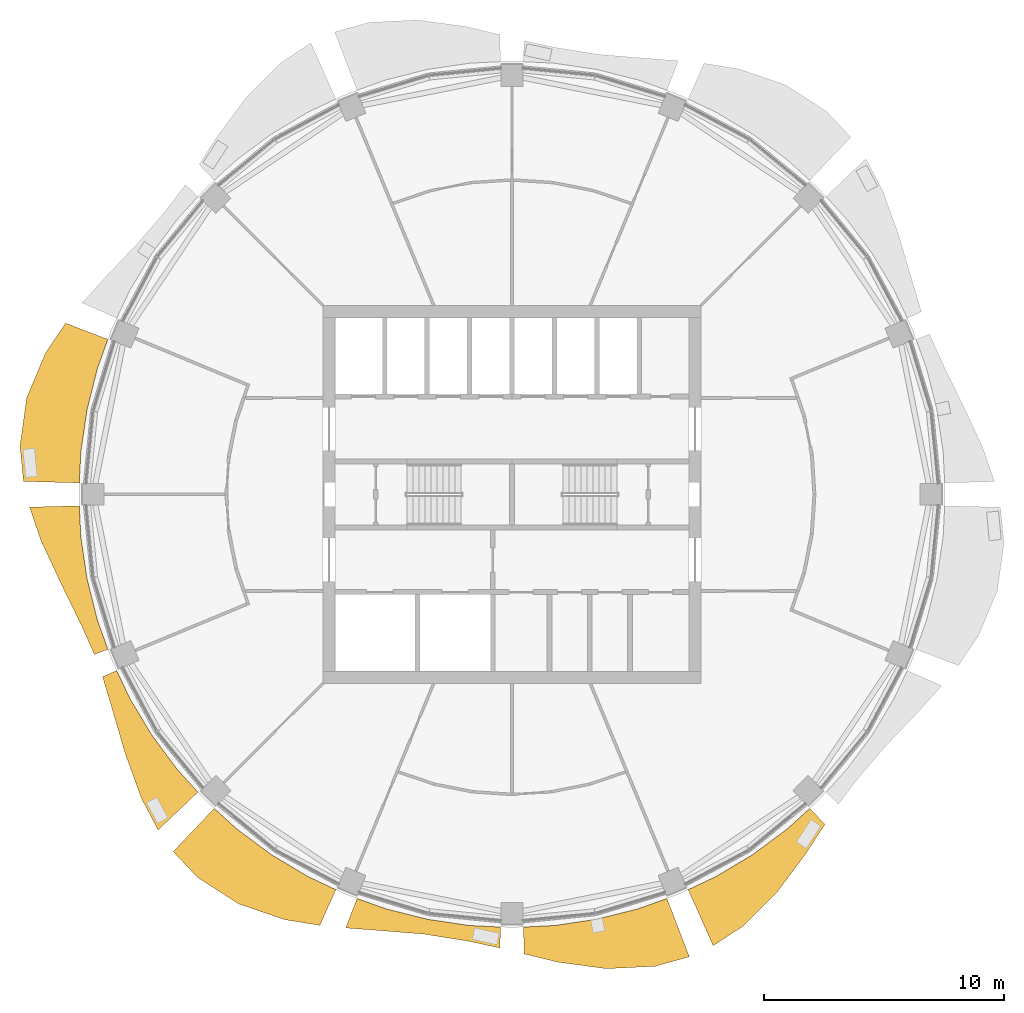
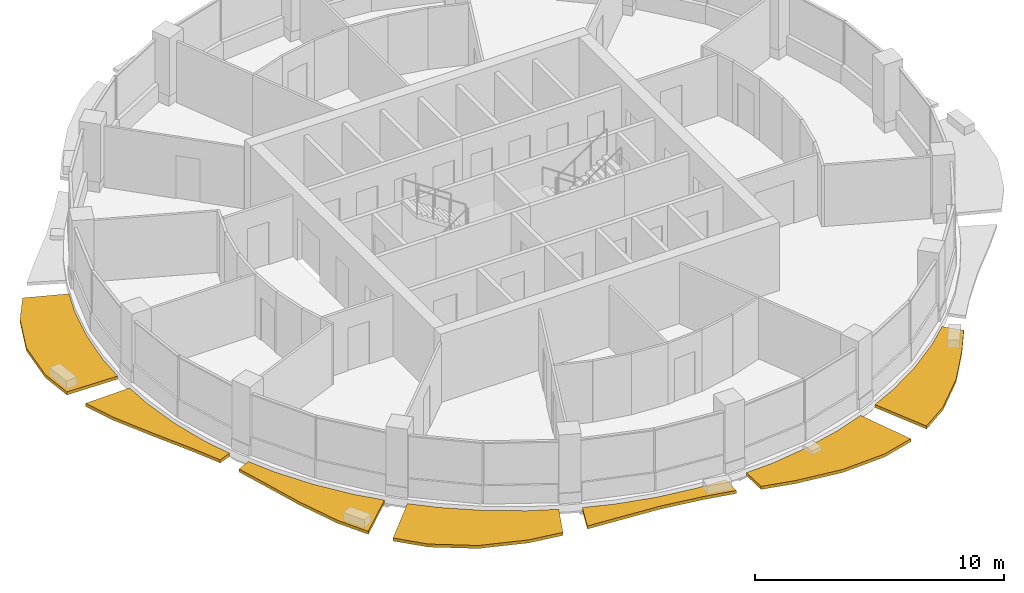
# One storey, part 12 of 15: 7 shading devices.
"""IFC4 building model written with IfcOpenShell, lengths in metres."""

from ifc_helpers import new_model, si_unit, direction, frame, origin, place, context, subcontext, project, spatial, polyline, outline, extrude, material, type_object, element, save


model = new_model("IFC4")

# Units and contexts
model_context = context("Model", 3, precision=1e-05, world=origin(), true_north=direction((0.0, 1.0)))
body_context = subcontext(model_context, "Body", "Model", "MODEL_VIEW")
ifc_project = project(units=[si_unit("LENGTHUNIT", "METRE"), si_unit("AREAUNIT", "SQUARE_METRE"), si_unit("VOLUMEUNIT", "CUBIC_METRE"), si_unit("PLANEANGLEUNIT", "RADIAN"), si_unit("MASSUNIT", "GRAM", prefix="KILO")], contexts=[model_context])

# Site, building, storey
site_placement = place(None, origin())
site = spatial("IfcSite", under=ifc_project, at=site_placement, CompositionType="ELEMENT")
building_placement = place(site_placement, origin())
building = spatial("IfcBuilding", under=site, at=building_placement, Name="Polderwave Tower", CompositionType="ELEMENT")
storey_placement = place(building_placement, frame((0.0, 0.0, 187.64990234375)))
storey = spatial("IfcBuildingStorey", under=building, at=storey_placement, Name="L50", CompositionType="ELEMENT", Elevation=187.64990234375)

# Shading devices
ifc_material = material(Name="Terracotta", Category="masonry")
shading_device_type = type_object("IfcShadingDeviceType", Name="Terracotta sunshade band", PredefinedType="USERDEFINED", material=ifc_material)
shading_device_1_placement = place(storey_placement, frame((0.0, 0.0, -0.349853515625)))
element("IfcShadingDevice", 1, at=shading_device_1_placement, inside=storey, type_object=shading_device_type, Name="Sunshade band L50 8", ObjectType="SUNSHADE", PredefinedType="USERDEFINED", context=body_context, shape_type="SweptSolid", body=[
    extrude(outline(polyline([(-16.8369140625, 6.45751953125), (-17.272705078125, 5.239501953125), (-17.703125, 3.521484375), (-17.963134765625, 1.769287109375), (-18.026611328125, 0.477294921875), (-20.352294921875, 0.538818359375), (-20.497802734375, 2.018798828125), (-20.2197265625, 4.02197265625), (-19.434814453125, 5.8955078125), (-18.597412109375, 7.1328125), (-16.8369140625, 6.45751953125)])), origin(), (0.0, 0.0, 1.0), 0.14990234375),
])
shading_device_2_placement = place(storey_placement, frame((0.0, 0.0, -0.349853515625)))
element("IfcShadingDevice", 2, at=shading_device_2_placement, inside=storey, type_object=shading_device_type, Name="Sunshade band L50 9", ObjectType="SUNSHADE", PredefinedType="USERDEFINED", context=body_context, shape_type="SweptSolid", body=[
    extrude(outline(polyline([(-18.026611328125, -0.477294921875), (-17.963134765625, -1.769287109375), (-17.703125, -3.521484375), (-17.272705078125, -5.239501953125), (-16.8369140625, -6.45751953125), (-17.3974609375, -6.672607421875), (-17.945556640625, -5.44384765625), (-18.781982421875, -3.736083984375), (-19.62060546875, -1.9326171875), (-20.1015625, -0.531982421875), (-18.026611328125, -0.477294921875)])), origin(), (0.0, 0.0, 1.0), 0.14990234375),
])
shading_device_3_placement = place(storey_placement, frame((0.0, 0.0, -0.349853515625)))
element("IfcShadingDevice", 3, at=shading_device_3_placement, inside=storey, type_object=shading_device_type, Name="Sunshade band L50 10", ObjectType="SUNSHADE", PredefinedType="USERDEFINED", context=body_context, shape_type="SweptSolid", body=[
    extrude(outline(polyline([(-16.4716796875, -7.33935546875), (-15.918701171875, -8.5087890625), (-15.008056640625, -10.028076171875), (-13.952880859375, -11.45068359375), (-13.083984375, -12.4091796875), (-14.743408203125, -13.983154296875), (-15.43798828125, -12.669677734375), (-16.123046875, -10.773193359375), (-16.666748046875, -8.908447265625), (-17.057861328125, -7.6005859375), (-16.4716796875, -7.33935546875)])), origin(), (0.0, 0.0, 1.0), 0.14990234375),
])
shading_device_4_placement = place(storey_placement, frame((0.0, 0.0, -0.349853515625)))
element("IfcShadingDevice", 4, at=shading_device_4_placement, inside=storey, type_object=shading_device_type, Name="Sunshade band L50 11", ObjectType="SUNSHADE", PredefinedType="USERDEFINED", context=body_context, shape_type="SweptSolid", body=[
    extrude(outline(polyline([(-12.4091796875, -13.083984375), (-11.45068359375, -13.952880859375), (-10.028076171875, -15.008056640625), (-8.5087890625, -15.918701171875), (-7.33935546875, -16.4716796875), (-8.001953125, -17.958740234375), (-9.471435546875, -17.719970703125), (-11.398193359375, -17.05859375), (-13.098876953125, -15.9609375), (-14.115478515625, -14.88330078125), (-12.4091796875, -13.083984375)])), origin(), (0.0, 0.0, 1.0), 0.14990234375),
])
shading_device_5_placement = place(storey_placement, frame((0.0, 0.0, -0.349853515625)))
element("IfcShadingDevice", 5, at=shading_device_5_placement, inside=storey, type_object=shading_device_type, Name="Sunshade band L50 12", ObjectType="SUNSHADE", PredefinedType="USERDEFINED", context=body_context, shape_type="SweptSolid", body=[
    extrude(outline(polyline([(-6.45751953125, -16.8369140625), (-5.239501953125, -17.272705078125), (-3.521484375, -17.703125), (-1.769287109375, -17.963134765625), (-0.477294921875, -18.026611328125), (-0.500244140625, -18.899658203125), (-1.833251953125, -18.613037109375), (-3.64501953125, -18.3251953125), (-5.5126953125, -18.173095703125), (-6.92822265625, -18.064208984375), (-6.45751953125, -16.8369140625)])), origin(), (0.0, 0.0, 1.0), 0.14990234375),
])
shading_device_6_placement = place(storey_placement, frame((0.0, 0.0, -0.349853515625)))
element("IfcShadingDevice", 6, at=shading_device_6_placement, inside=storey, type_object=shading_device_type, Name="Sunshade band L50 13", ObjectType="SUNSHADE", PredefinedType="USERDEFINED", context=body_context, shape_type="SweptSolid", body=[
    extrude(outline(polyline([(0.477294921875, -18.026611328125), (1.769287109375, -17.963134765625), (3.521484375, -17.703125), (5.239501953125, -17.272705078125), (6.45751953125, -16.8369140625), (7.388427734375, -19.26416015625), (5.96435546875, -19.662109375), (3.93115234375, -19.7626953125), (1.919677734375, -19.490234375), (0.5068359375, -19.150390625), (0.477294921875, -18.026611328125)])), origin(), (0.0, 0.0, 1.0), 0.14990234375),
])
shading_device_7_placement = place(storey_placement, frame((0.0, 0.0, -0.349853515625)))
element("IfcShadingDevice", 7, at=shading_device_7_placement, inside=storey, type_object=shading_device_type, Name="Sunshade band L50 14", ObjectType="SUNSHADE", PredefinedType="USERDEFINED", context=body_context, shape_type="SweptSolid", body=[
    extrude(outline(polyline([(7.33935546875, -16.4716796875), (8.5087890625, -15.918701171875), (10.028076171875, -15.008056640625), (11.45068359375, -13.952880859375), (12.4091796875, -13.083984375), (13.03759765625, -13.74658203125), (12.261962890625, -14.941162109375), (11.060791015625, -16.5537109375), (9.617431640625, -17.992919921875), (8.380615234375, -18.80859375), (7.33935546875, -16.4716796875)])), origin(), (0.0, 0.0, 1.0), 0.14990234375),
])

save(model, "model.ifc")
